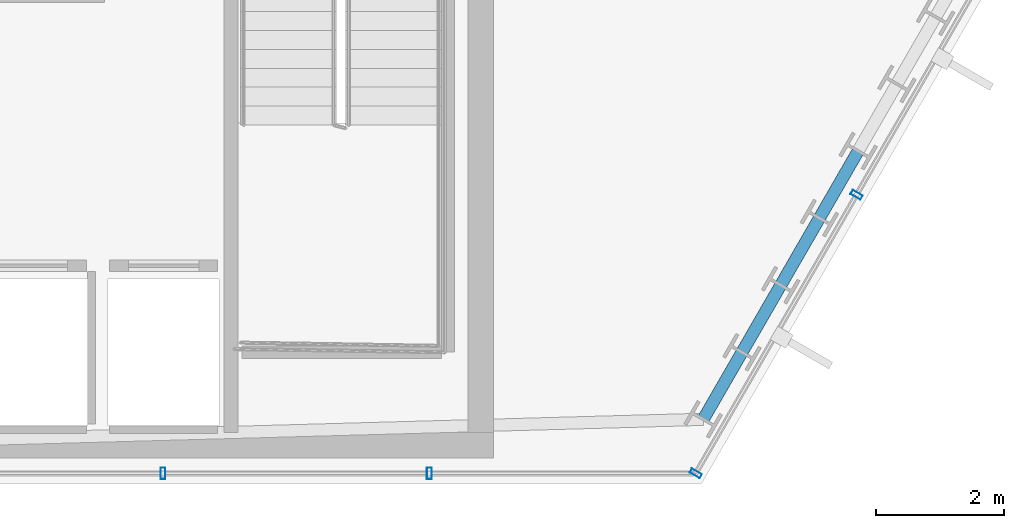
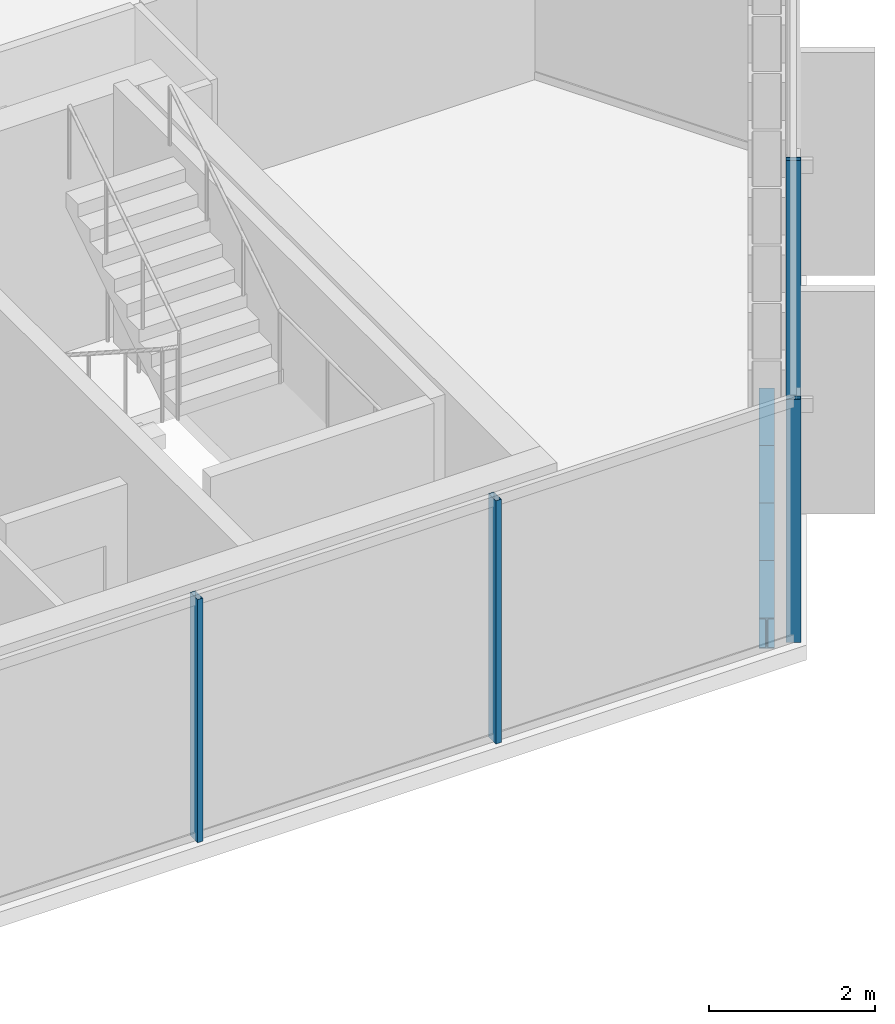
# One storey, part 15 of 35: 4 beams, 4 members, 2 elements without a shape of their own.
"""IFC4 building model written with IfcOpenShell, lengths in metres."""

import ifcopenshell
import ifcopenshell.guid

model = None  # the IFC model being written
_history = None  # IfcOwnerHistory: only IFC2X3 demands one
_inside = {}  # id of a spatial element -> (the spatial element, [elements in it])
_under = {}  # id of a project, library or spatial element -> (it, [spatial elements below it])
_declared = {}  # id of a project -> (the project, [libraries it declares])
_typed = {}  # id of a type object -> (the type object, [elements of that type])
_made_of = {}  # id of a material, layer set ... -> (it, [elements and type objects made of it])


def new_model(schema):
    """Start an empty IFC model of exactly this schema.

    Asked for "IFC4X3", IfcOpenShell would pick the latest addendum, in which some entities
    have other attributes; the version numbers below select the first issue.
    IFC2X3 requires an IfcOwnerHistory on every rooted entity: one is made here for all.
    """
    global model, _history
    if schema == "IFC4X3":
        model = ifcopenshell.file(schema_version=(4, 3, 0, 0))
    else:
        model = ifcopenshell.file(schema=schema)
    _inside.clear()
    _under.clear()
    _declared.clear()
    _typed.clear()
    _made_of.clear()
    _history = None
    if model.schema == "IFC2X3":
        org = make("IfcOrganization", Name="unknown")
        user = make(
            "IfcPersonAndOrganization",
            ThePerson=make("IfcPerson", FamilyName="unknown"),
            TheOrganization=org,
        )
        app = make(
            "IfcApplication",
            ApplicationDeveloper=org,
            Version="unknown",
            ApplicationFullName="unknown",
            ApplicationIdentifier="unknown",
        )
        _history = make(
            "IfcOwnerHistory",
            OwningUser=user,
            OwningApplication=app,
            ChangeAction="ADDED",
            CreationDate=0,
        )
    return model


def make(cls, **values):
    """One entity of the class cls with the attributes given. An attribute that is None is left unset."""
    return model.create_entity(
        cls, **{name: value for name, value in values.items() if value is not None}
    )


def rooted(cls, **values):
    """An entity with a GlobalId (a new one), such as an element, a storey or a relation."""
    return make(cls, GlobalId=ifcopenshell.guid.new(), OwnerHistory=_history, **values)


def si_unit(unit_type, name, prefix=None):
    """IfcSIUnit, for example si_unit("LENGTHUNIT", "METRE", prefix="MILLI")."""
    return make("IfcSIUnit", UnitType=unit_type, Prefix=prefix, Name=name)


def assignment(units):
    """IfcUnitAssignment: the units of a project."""
    return None if units is None else make("IfcUnitAssignment", Units=units)


def point(xyz):
    """IfcCartesianPoint."""
    return None if xyz is None else make("IfcCartesianPoint", Coordinates=xyz)


def direction(xyz):
    """IfcDirection."""
    return None if xyz is None else make("IfcDirection", DirectionRatios=xyz)


def frame(location, z_axis=None, x_axis=None):
    """IfcAxis2Placement3D, a coordinate frame: its origin and axes. An axis left out is left unset."""
    return make(
        "IfcAxis2Placement3D",
        Location=point(location),
        Axis=direction(z_axis),
        RefDirection=direction(x_axis),
    )


def frame_2d(location, x_axis=None):
    """IfcAxis2Placement2D, a coordinate frame in the plane: its origin and x axis."""
    return make(
        "IfcAxis2Placement2D", Location=point(location), RefDirection=direction(x_axis)
    )


def origin():
    """The frame at (0, 0, 0) with its axes left unset."""
    return frame((0.0, 0.0, 0.0))


def origin_2d():
    """The frame at (0, 0) in the plane with its x axis left unset."""
    return frame_2d((0.0, 0.0))


def place(relative_to, where):
    """IfcLocalPlacement: puts the frame where relative to a parent placement (None: the world)."""
    return make(
        "IfcLocalPlacement", PlacementRelTo=relative_to, RelativePlacement=where
    )


def context(
    kind, dimensions, precision=None, world=None, true_north=None, identifier=None
):
    """IfcGeometricRepresentationContext, for example the 3D "Model" context."""
    return make(
        "IfcGeometricRepresentationContext",
        ContextIdentifier=identifier,
        ContextType=kind,
        CoordinateSpaceDimension=dimensions,
        Precision=precision,
        WorldCoordinateSystem=world,
        TrueNorth=true_north,
    )


def subcontext(parent, identifier, kind, view, scale=None):
    """IfcGeometricRepresentationSubContext, for example "Body" below "Model"."""
    return make(
        "IfcGeometricRepresentationSubContext",
        ContextIdentifier=identifier,
        ContextType=kind,
        ParentContext=parent,
        TargetScale=scale,
        TargetView=view,
    )


def project(units=None, contexts=None):
    """IfcProject with its units and contexts."""
    return rooted(
        "IfcProject",
        Name="project",
        RepresentationContexts=contexts,
        UnitsInContext=assignment(units),
    )


def spatial(cls, under=None, at=None, **own):
    """A site, building, storey or space (cls), placed at a placement, below another one or the project."""
    s = rooted(cls, ObjectPlacement=at, **own)
    if under is not None:
        _under.setdefault(under.id(), (under, []))[1].append(s)
    return s


def profile(cls, at=None, kind="AREA", **sizes):
    """A parametric profile (cls). Its sizes go by their IFC names, for example OverallWidth=200.0."""
    return make(cls, ProfileType=kind, Position=at, **sizes)


def hollow_rectangle(**sizes):
    """IfcRectangleHollowProfileDef."""
    return profile("IfcRectangleHollowProfileDef", **sizes)


def i_section(**sizes):
    """IfcIShapeProfileDef."""
    return profile("IfcIShapeProfileDef", **sizes)


def extrude(swept, where, along, depth):
    """IfcExtrudedAreaSolid: the profile swept, set in the frame where, extruded along a direction by depth."""
    return make(
        "IfcExtrudedAreaSolid",
        SweptArea=swept,
        Position=where,
        ExtrudedDirection=direction(along),
        Depth=depth,
    )


def shape(context_of_items, identifier, shape_type, items):
    """IfcShapeRepresentation: the items that make up one representation, for example the "Body"."""
    return make(
        "IfcShapeRepresentation",
        ContextOfItems=context_of_items,
        RepresentationIdentifier=identifier,
        RepresentationType=shape_type,
        Items=items,
    )


def material(Name=None, Category=None):
    """IfcMaterial."""
    return make("IfcMaterial", Name=Name, Category=Category)


def layer(
    of_material, thickness, ventilated=None, Name=None, Category=None, Priority=None
):
    """IfcMaterialLayer: one layer of a wall or slab, of a material (None: an air gap)."""
    return make(
        "IfcMaterialLayer",
        Material=of_material,
        LayerThickness=thickness,
        IsVentilated=ventilated,
        Name=Name,
        Category=Category,
        Priority=Priority,
    )


def layer_set(layers, Name=None):
    """IfcMaterialLayerSet."""
    return make("IfcMaterialLayerSet", MaterialLayers=layers, LayerSetName=Name)


def material_profile(
    of_material, cross_section, Name=None, Category=None, Priority=None
):
    """IfcMaterialProfile: a cross section and its material."""
    return make(
        "IfcMaterialProfile",
        Name=Name,
        Material=of_material,
        Profile=cross_section,
        Priority=Priority,
        Category=Category,
    )


def profile_set(profiles, Name=None, composite=None):
    """IfcMaterialProfileSet."""
    return make(
        "IfcMaterialProfileSet",
        Name=Name,
        MaterialProfiles=profiles,
        CompositeProfile=composite,
    )


def made_of(thing, what):
    """Note that an element or type object is made of a material, layer set ...; save() writes the relation."""
    if what is not None:
        _made_of.setdefault(what.id(), (what, []))[1].append(thing)
    return thing


def type_object(cls, material=None, **own):
    """A type object (cls), such as IfcWallType, which elements share."""
    return made_of(rooted(cls, **own), material)


def element(
    cls,
    number,
    at=None,
    inside=None,
    cuts=None,
    type_object=None,
    material=None,
    context=None,
    identifier="Body",
    shape_type=None,
    held_by="IfcProductDefinitionShape",
    body=None,
    shapes=None,
    **own,
):
    """One element of the class cls, such as IfcWall. Its Tag is "e" and its number.

    at: its placement. inside: the storey or other place that contains it. cuts: it is an
    opening in that element (IfcRelVoidsElement). A single representation is given by context,
    identifier, shape_type and body (its items); several are given by shapes. held_by: the class
    of the entity that holds the representations. save() writes the other relations.
    """
    e = rooted(cls, Tag="e%d" % number, ObjectPlacement=at, **own)
    if body is not None:
        shapes = [shape(context, identifier, shape_type, body)]
    if shapes is not None:
        e.Representation = make(held_by, Representations=shapes)
    if inside is not None:
        _inside.setdefault(inside.id(), (inside, []))[1].append(e)
    if cuts is not None:
        rooted(
            "IfcRelVoidsElement", RelatingBuildingElement=cuts, RelatedOpeningElement=e
        )
    if type_object is not None:
        _typed.setdefault(type_object.id(), (type_object, []))[1].append(e)
    return made_of(e, material)


def aggregate(whole, parts):
    """IfcRelAggregates: a whole, such as a stair, and the parts it consists of."""
    return rooted("IfcRelAggregates", RelatingObject=whole, RelatedObjects=parts)


def save(model, path):
    """Write the relations noted so far, then the file.

    IfcRelAggregates (storeys below a building ...), IfcRelContainedInSpatialStructure (elements
    in a storey), IfcRelDefinesByType, IfcRelAssociatesMaterial and IfcRelDeclares: one each for
    every whole, place, type object, material and project.
    """
    for whole, parts in _under.values():
        aggregate(whole, parts)
    for where, things in _inside.values():
        rooted(
            "IfcRelContainedInSpatialStructure",
            RelatedElements=things,
            RelatingStructure=where,
        )
    for kind, things in _typed.values():
        rooted("IfcRelDefinesByType", RelatedObjects=things, RelatingType=kind)
    for what, things in _made_of.values():
        rooted("IfcRelAssociatesMaterial", RelatedObjects=things, RelatingMaterial=what)
    for by, libraries in _declared.values():
        rooted("IfcRelDeclares", RelatingContext=by, RelatedDefinitions=libraries)
    model.write(path)


model = new_model("IFC4")

# Units and contexts
model_context = context("Model", 3, precision=1e-05, world=origin(), true_north=direction((0.0, 1.0)))
body_context = subcontext(model_context, "Body", "Model", "MODEL_VIEW")
ifc_project = project(units=[si_unit("LENGTHUNIT", "METRE"), si_unit("AREAUNIT", "SQUARE_METRE"), si_unit("VOLUMEUNIT", "CUBIC_METRE"), si_unit("PLANEANGLEUNIT", "RADIAN"), si_unit("MASSUNIT", "GRAM", prefix="KILO")], contexts=[model_context])

# Site, building, storey
site_placement = place(None, origin())
site = spatial("IfcSite", under=ifc_project, at=site_placement, CompositionType="ELEMENT")
building_placement = place(site_placement, origin())
building = spatial("IfcBuilding", under=site, at=building_placement, Name="Ndaravel Arena Tower", CompositionType="ELEMENT")
storey_placement = place(building_placement, frame((0.0, 0.0, 172.60009765625)))
storey = spatial("IfcBuildingStorey", under=building, at=storey_placement, Name="L41", CompositionType="ELEMENT", Elevation=172.60009765625)

# Beams
ifc_material_1 = material(Name="Steel S355", Category="steel")
ifc_material_profile_1 = material_profile(ifc_material_1, i_section(OverallWidth=0.18994140625, OverallDepth=0.449951171875, WebThickness=0.009521484375, FlangeThickness=0.0146484375, FilletRadius=0.02099609375, at=origin_2d()), Name="IPE 450")
ifc_profile_set_1 = profile_set([ifc_material_profile_1], Name="Steel S355")
beam_type = type_object("IfcBeamType", Name="BM-SPAN-IPE450", PredefinedType="SPANDREL", material=ifc_profile_set_1)
beam_placement = place(storey_placement, frame((60.82080078125, 6.00341796875, -0.445068359375), z_axis=(0.500072242978, 0.865983690264, 0.0), x_axis=(-0.865983690264, 0.500072242978, 0.0)))
element("IfcBeam", 1, at=beam_placement, inside=storey, type_object=beam_type, Name="L41 Perimeter Spandrel Beam SP-02", PredefinedType="SPANDREL", context=body_context, shape_type="SweptSolid", body=[
    extrude(i_section(OverallWidth=0.18994140625, OverallDepth=0.449951171875, WebThickness=0.009521484375, FlangeThickness=0.0146484375, FilletRadius=0.02099609375, at=origin_2d()), origin(), (0.0, 0.0, 1.0), 1.208251953125),
])
for number, where, z_axis, x_axis, name in (
    (2, (61.425048828125, 7.0498046875, -0.445068359375), (0.499984757355, 0.866034203951, 0.0), (-0.866034203951, 0.499984757355, 0.0), "L41 Perimeter Spandrel Beam SP-03"),
    (3, (62.029296875, 8.096435546875, -0.445068359375), (0.499984757355, 0.866034203951, 0.0), (-0.866034203951, 0.499984757355, 0.0), "L41 Perimeter Spandrel Beam SP-04"),
    (4, (62.633544921875, 9.14306640625, -0.445068359375), (0.499984757355, 0.866034203951, 0.0), (-0.866034203951, 0.499984757355, 0.0), "L41 Perimeter Spandrel Beam SP-05"),
):
    element("IfcBeam", number, at=place(storey_placement, frame(where, z_axis=z_axis, x_axis=x_axis)), inside=storey, type_object=beam_type, Name=name, PredefinedType="SPANDREL", context=body_context, shape_type="SweptSolid", body=[
        extrude(i_section(OverallWidth=0.18994140625, OverallDepth=0.449951171875, WebThickness=0.009521484375, FlangeThickness=0.0146484375, FilletRadius=0.02099609375, at=origin_2d()), origin(), (0.0, 0.0, 1.0), 1.20849609375),
    ])

# Curtain wall, members
ifc_material_2 = material(Name="Aluminium", Category="aluminium")
ifc_layer_1 = layer(ifc_material_2, 0.179931640625)
ifc_layer_set_1 = layer_set([ifc_layer_1], Name="Aluminium")
curtain_wall_type_1 = type_object("IfcCurtainWallType", Name="CW-SYS-03", PredefinedType="NOTDEFINED", material=ifc_layer_set_1)
curtain_wall_1_placement = place(storey_placement, origin())
curtain_wall_1 = element("IfcCurtainWall", 5, at=curtain_wall_1_placement, inside=storey, type_object=curtain_wall_type_1, Name="L41 Faceted Crystal Curtain Wall CW-L41-E01", PredefinedType="NOTDEFINED")
ifc_material_3 = material(Name="Aluminium", Category="aluminium")
ifc_material_profile_2 = material_profile(ifc_material_3, hollow_rectangle(XDim=0.074951171875, YDim=0.179931640625, WallThickness=0.00390625, at=origin_2d()), Name="CW MULLION 75x180x4")
ifc_profile_set_2 = profile_set([ifc_material_profile_2], Name="Aluminium")
member_type = type_object("IfcMemberType", Name="MEM-CW-MUL180", PredefinedType="MULLION", material=ifc_profile_set_2)
member_1_placement = place(storey_placement, frame((52.390869140625, 5.159912109375, 0.0), z_axis=(0.0, 0.0, 1.0), x_axis=(1.0, 0.0, 0.0)))
member_1 = element("IfcMember", 6, at=member_1_placement, type_object=member_type, Name="CW-L41-E01 Mullion 07", PredefinedType="MULLION", context=body_context, shape_type="SweptSolid", body=[
    extrude(hollow_rectangle(XDim=0.074951171875, YDim=0.179931640625, WallThickness=0.00390625, at=origin_2d()), origin(), (0.0, 0.0, 1.0), 3.579833984375),
])
member_2_placement = place(storey_placement, frame((56.547119140625, 5.159912109375, 0.0), z_axis=(0.0, 0.0, 1.0), x_axis=(1.0, 0.0, 0.0)))
member_2 = element("IfcMember", 7, at=member_2_placement, type_object=member_type, Name="CW-L41-E01 Mullion 08", PredefinedType="MULLION", context=body_context, shape_type="SweptSolid", body=[
    extrude(hollow_rectangle(XDim=0.074951171875, YDim=0.179931640625, WallThickness=0.00390625, at=origin_2d()), origin(), (0.0, 0.0, 1.0), 3.579833984375),
])
aggregate(curtain_wall_1, [member_1, member_2])

ifc_material_4 = material(Name="Aluminium", Category="aluminium")
ifc_layer_2 = layer(ifc_material_4, 0.179931640625)
ifc_layer_set_2 = layer_set([ifc_layer_2], Name="Aluminium")
curtain_wall_type_2 = type_object("IfcCurtainWallType", Name="CW-SYS-01", PredefinedType="NOTDEFINED", material=ifc_layer_set_2)
curtain_wall_2_placement = place(storey_placement, origin())
curtain_wall_2 = element("IfcCurtainWall", 8, at=curtain_wall_2_placement, inside=storey, type_object=curtain_wall_type_2, Name="L41 Faceted Crystal Curtain Wall CW-L41-E02", PredefinedType="NOTDEFINED")
member_3_placement = place(storey_placement, frame((60.703369140625, 5.159912109375, 0.0), z_axis=(0.0, 0.0, 1.0), x_axis=(0.5, 0.866025403784, 0.0)))
member_3 = element("IfcMember", 9, at=member_3_placement, type_object=member_type, Name="CW-L41-E02 Mullion 00", PredefinedType="MULLION", context=body_context, shape_type="SweptSolid", body=[
    extrude(hollow_rectangle(XDim=0.074951171875, YDim=0.179931640625, WallThickness=0.00390625, at=origin_2d()), origin(), (0.0, 0.0, 1.0), 3.579833984375),
])
member_4_placement = place(storey_placement, frame((63.212890625, 9.506591796875, 0.0), z_axis=(0.0, 0.0, 1.0), x_axis=(0.5, 0.866025403784, 0.0)))
member_4 = element("IfcMember", 10, at=member_4_placement, type_object=member_type, Name="CW-L41-E02 Mullion 01", PredefinedType="MULLION", context=body_context, shape_type="SweptSolid", body=[
    extrude(hollow_rectangle(XDim=0.074951171875, YDim=0.179931640625, WallThickness=0.00390625, at=origin_2d()), origin(), (0.0, 0.0, 1.0), 3.579833984375),
])
aggregate(curtain_wall_2, [member_3, member_4])

save(model, "model.ifc")
